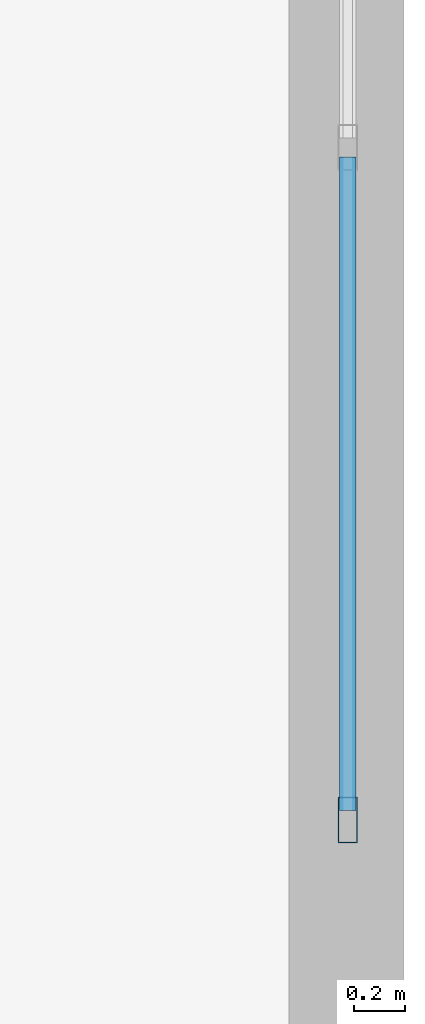
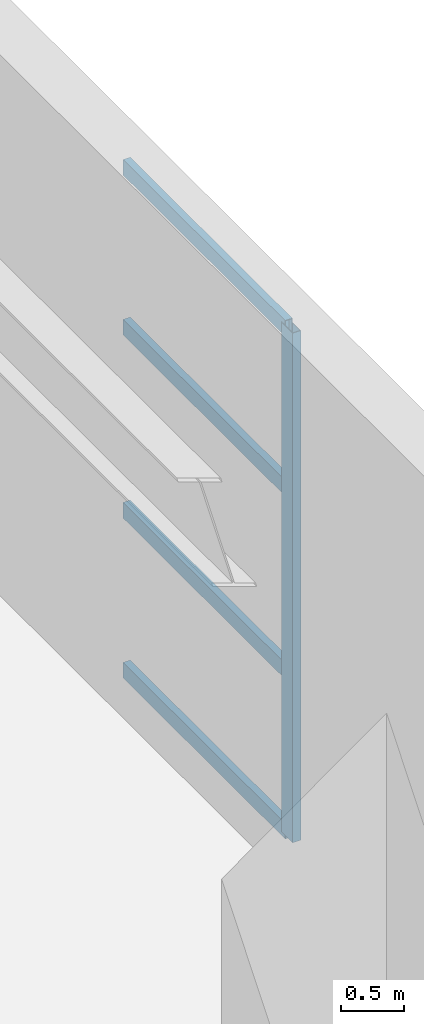
# One storey, part 14 of 34: 5 members, 1 element without a shape of its own.
"""IFC4 building model written with IfcOpenShell, lengths in metres."""

from ifc_helpers import new_model, si_unit, direction, frame, origin, origin_2d, place, context, subcontext, project, spatial, hollow_rectangle, extrude, material, layer, layer_set, material_profile, profile_set, type_object, element, aggregate, save


model = new_model("IFC4")

# Units and contexts
model_context = context("Model", 3, precision=1e-05, world=origin(), true_north=direction((0.0, 1.0)))
body_context = subcontext(model_context, "Body", "Model", "MODEL_VIEW")
ifc_project = project(units=[si_unit("LENGTHUNIT", "METRE"), si_unit("AREAUNIT", "SQUARE_METRE"), si_unit("VOLUMEUNIT", "CUBIC_METRE"), si_unit("PLANEANGLEUNIT", "RADIAN"), si_unit("MASSUNIT", "GRAM", prefix="KILO")], contexts=[model_context])

# Site, building, storey
site_placement = place(None, origin())
site = spatial("IfcSite", under=ifc_project, at=site_placement, CompositionType="ELEMENT")
building_placement = place(site_placement, origin())
building = spatial("IfcBuilding", under=site, at=building_placement, Name="Qiaolan Cultural Towers", CompositionType="ELEMENT")
storey_placement = place(building_placement, frame((0.0, 0.0, 16.5)))
storey = spatial("IfcBuildingStorey", under=building, at=storey_placement, Name="L03", CompositionType="ELEMENT", Elevation=16.5)

# Curtain wall, members
ifc_material_1 = material(Name="Unitized Anodized Aluminium Curtain Wall System", Category="aluminium")
ifc_layer = layer(ifc_material_1, 0.199951171875)
ifc_layer_set = layer_set([ifc_layer], Name="Unitized Anodized Aluminium Curtain Wall System")
curtain_wall_type = type_object("IfcCurtainWallType", Name="CWS-04", PredefinedType="NOTDEFINED", material=ifc_layer_set)
curtain_wall_placement = place(storey_placement, origin())
curtain_wall = element("IfcCurtainWall", 1, at=curtain_wall_placement, inside=storey, type_object=curtain_wall_type, Name="L03 East Exhibition Foyer Curtain Wall", PredefinedType="NOTDEFINED")
ifc_material_2 = material(Name="Extruded Aluminium 6063-T6", Category="aluminium")
ifc_material_profile_1 = material_profile(ifc_material_2, hollow_rectangle(XDim=0.074951171875, YDim=0.179931640625, WallThickness=0.00390625, at=origin_2d()), Name="CWM-180x75x4")
ifc_profile_set_1 = profile_set([ifc_material_profile_1], Name="Extruded Aluminium 6063-T6")
member_type_1 = type_object("IfcMemberType", Name="CWS-04-MUL", PredefinedType="MULLION", material=ifc_profile_set_1)
member_1_placement = place(storey_placement, frame((119.780029296875, 30.03759765625, 0.14990234375), z_axis=(0.0, 0.0, 1.0), x_axis=(-1.0, 0.0, 0.0)))
member_1 = element("IfcMember", 2, at=member_1_placement, type_object=member_type_1, Name="CW-4 mullion 1", PredefinedType="MULLION", context=body_context, shape_type="SweptSolid", body=[
    extrude(hollow_rectangle(XDim=0.074951171875, YDim=0.179931640625, WallThickness=0.00390625, at=origin_2d()), origin(), (0.0, 0.0, 1.0), 4.900146484375),
])
ifc_material_3 = material(Name="Extruded Aluminium 6063-T6", Category="aluminium")
ifc_material_profile_2 = material_profile(ifc_material_3, hollow_rectangle(XDim=0.06494140625, YDim=0.14990234375, WallThickness=0.00390625, at=origin_2d()), Name="CWT-150x65x4")
ifc_profile_set_2 = profile_set([ifc_material_profile_2], Name="Extruded Aluminium 6063-T6")
member_type_2 = type_object("IfcMemberType", Name="CWS-04-TRN", PredefinedType="USERDEFINED", material=ifc_profile_set_2)
member_2_placement = place(storey_placement, frame((119.780029296875, 30.074951171875, 0.1826171875), z_axis=(0.0, 1.0, 0.0), x_axis=(-1.0, 0.0, 0.0)))
member_2 = element("IfcMember", 3, at=member_2_placement, type_object=member_type_2, Name="CW-4 transom 1.1", ObjectType="TRANSOM", PredefinedType="USERDEFINED", context=body_context, shape_type="SweptSolid", body=[
    extrude(hollow_rectangle(XDim=0.06494140625, YDim=0.14990234375, WallThickness=0.00390625, at=origin_2d()), origin(), (0.0, 0.0, 1.0), 2.55419921875),
])
member_3_placement = place(storey_placement, frame((119.780029296875, 30.074951171875, 1.719970703125), z_axis=(0.0, 1.0, 0.0), x_axis=(-1.0, 0.0, 0.0)))
member_3 = element("IfcMember", 4, at=member_3_placement, type_object=member_type_2, Name="CW-4 transom 1.2", ObjectType="TRANSOM", PredefinedType="USERDEFINED", context=body_context, shape_type="SweptSolid", body=[
    extrude(hollow_rectangle(XDim=0.06494140625, YDim=0.14990234375, WallThickness=0.00390625, at=origin_2d()), origin(), (0.0, 0.0, 1.0), 2.55419921875),
])
member_4_placement = place(storey_placement, frame((119.780029296875, 30.074951171875, 3.47998046875), z_axis=(0.0, 1.0, 0.0), x_axis=(-1.0, 0.0, 0.0)))
member_4 = element("IfcMember", 5, at=member_4_placement, type_object=member_type_2, Name="CW-4 transom 1.3", ObjectType="TRANSOM", PredefinedType="USERDEFINED", context=body_context, shape_type="SweptSolid", body=[
    extrude(hollow_rectangle(XDim=0.06494140625, YDim=0.14990234375, WallThickness=0.00390625, at=origin_2d()), origin(), (0.0, 0.0, 1.0), 2.55419921875),
])
member_5_placement = place(storey_placement, frame((119.780029296875, 30.074951171875, 5.017578125), z_axis=(0.0, 1.0, 0.0), x_axis=(-1.0, 0.0, 0.0)))
member_5 = element("IfcMember", 6, at=member_5_placement, type_object=member_type_2, Name="CW-4 transom 1.4", ObjectType="TRANSOM", PredefinedType="USERDEFINED", context=body_context, shape_type="SweptSolid", body=[
    extrude(hollow_rectangle(XDim=0.06494140625, YDim=0.14990234375, WallThickness=0.00390625, at=origin_2d()), origin(), (0.0, 0.0, 1.0), 2.55419921875),
])
aggregate(curtain_wall, [member_1, member_2, member_3, member_4, member_5])

save(model, "model.ifc")
